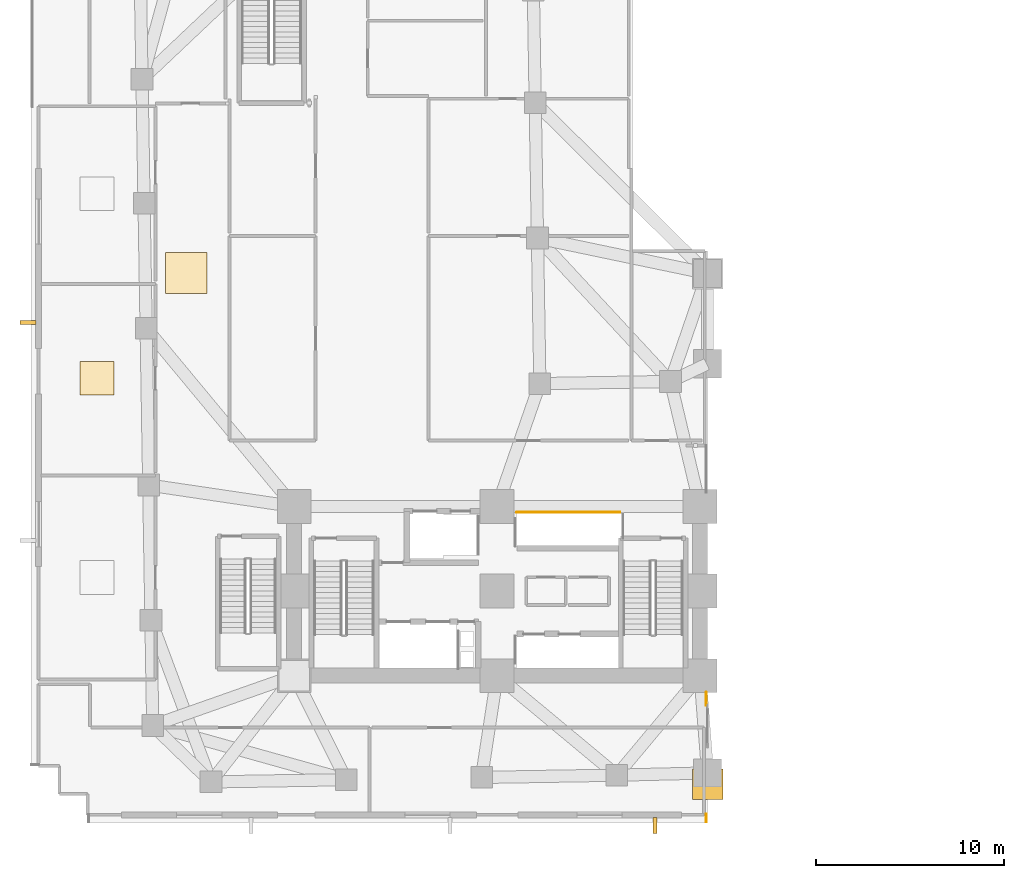
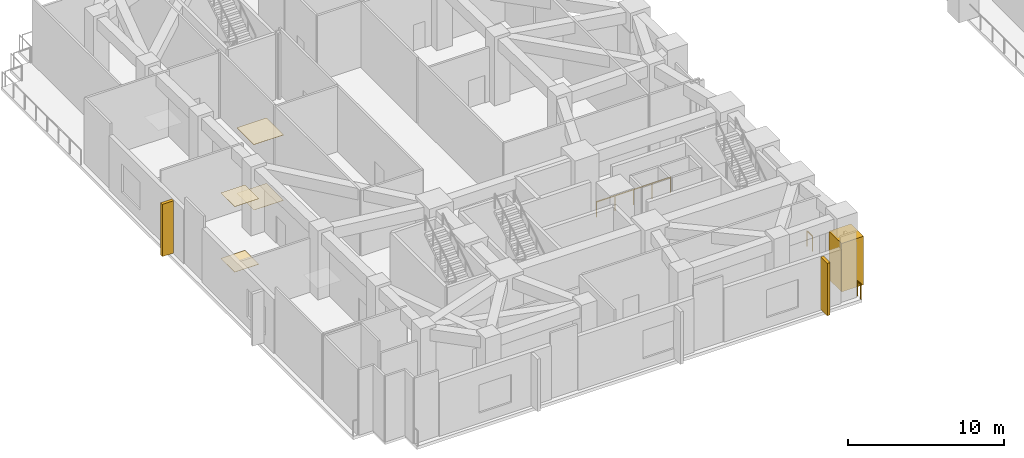
# One storey, part 14 of 18: 5 coverings, 3 railings, 2 shading devices.
"""IFC4 building model written with IfcOpenShell, lengths in metres."""

from ifc_helpers import new_model, si_unit, direction, frame, origin, origin_2d, place, context, subcontext, project, spatial, rectangle, circle, extrude, material, layer, layer_set, type_object, element, save


model = new_model("IFC4")

# Units and contexts
model_context = context("Model", 3, precision=1e-05, world=origin(), true_north=direction((0.0, 1.0)))
body_context = subcontext(model_context, "Body", "Model", "MODEL_VIEW")
ifc_project = project(units=[si_unit("LENGTHUNIT", "METRE"), si_unit("AREAUNIT", "SQUARE_METRE"), si_unit("VOLUMEUNIT", "CUBIC_METRE"), si_unit("PLANEANGLEUNIT", "RADIAN"), si_unit("MASSUNIT", "GRAM", prefix="KILO")], contexts=[model_context])

# Site, building, storey
site_placement = place(None, origin())
site = spatial("IfcSite", under=ifc_project, at=site_placement, CompositionType="ELEMENT")
building_placement = place(site_placement, origin())
building = spatial("IfcBuilding", under=site, at=building_placement, Name="Gaonmaruhae Medical Tower", CompositionType="ELEMENT")
storey_placement = place(building_placement, frame((0.0, 0.0, 10.800048828125)))
storey = spatial("IfcBuildingStorey", under=building, at=storey_placement, Name="L02", CompositionType="ELEMENT", Elevation=10.800048828125)

# Coverings
ifc_material_1 = material(Name="Architectural precast column cladding", Category="concrete")
ifc_layer_1 = layer(ifc_material_1, 0.06005859375)
ifc_layer_set_1 = layer_set([ifc_layer_1], Name="Architectural precast column cladding")
covering_type_1 = type_object("IfcCoveringType", Name="CLD-01 Architectural Precast Pier Cladding", PredefinedType="CLADDING", material=ifc_layer_set_1)
covering_1_placement = place(storey_placement, frame((36.0, 2.02001953125, 0.10009765625), z_axis=(0.0, 0.0, 1.0), x_axis=(1.0, 0.0, 0.0)))
element("IfcCovering", 1, at=covering_1_placement, inside=storey, type_object=covering_type_1, Name="L02 Architectural Precast Column Cladding 1", PredefinedType="CLADDING", context=body_context, shape_type="SweptSolid", body=[
    extrude(rectangle(XDim=1.6201171875, YDim=1.6201171875, at=origin_2d()), origin(), (0.0, 0.0, 1.0), 3.800048828125),
])
ifc_material_2 = material(Name="Acoustic mineral ceiling tile", Category="finish")
ifc_layer_2 = layer(ifc_material_2, 0.02490234375)
ifc_layer_set_2 = layer_set([ifc_layer_2], Name="Acoustic mineral ceiling tile")
covering_type_2 = type_object("IfcCoveringType", Name="CLG-01 Antimicrobial Acoustic Mineral Ceiling", PredefinedType="CEILING", material=ifc_layer_set_2)
covering_2_placement = place(storey_placement, frame((8.25, 29.22509765625, 5.125), z_axis=(0.0, 0.0, 1.0), x_axis=(1.0, 0.0, 0.0)))
element("IfcCovering", 2, at=covering_2_placement, inside=storey, type_object=covering_type_2, Name="L02 Clinical Corridor Acoustic Ceiling", PredefinedType="CEILING", context=body_context, shape_type="SweptSolid", body=[
    extrude(rectangle(XDim=2.199951171875, YDim=2.199951171875, at=origin_2d()), origin(), (0.0, 0.0, 1.0), 0.02490234375),
])
covering_3_placement = place(storey_placement, frame((3.510009765625, 23.625, 5.125), z_axis=(0.0, 0.0, 1.0), x_axis=(1.0, 0.0, 0.0)))
element("IfcCovering", 3, at=covering_3_placement, inside=storey, type_object=covering_type_2, Name="L02 Clinical Room Acoustic Ceiling 3", PredefinedType="CEILING", context=body_context, shape_type="SweptSolid", body=[
    extrude(rectangle(XDim=1.800048828125, YDim=1.800048828125, at=origin_2d()), origin(), (0.0, 0.0, 1.0), 0.02490234375),
])
ifc_material_3 = material(Name="Seamless clinical vinyl flooring", Category="finish")
ifc_layer_3 = layer(ifc_material_3, 0.014892578125)
ifc_layer_set_3 = layer_set([ifc_layer_3], Name="Seamless clinical vinyl flooring")
covering_type_3 = type_object("IfcCoveringType", Name="FLR-01 Seamless Clinical Antistatic Vinyl Flooring", PredefinedType="FLOORING", material=ifc_layer_set_3)
covering_4_placement = place(storey_placement, frame((8.25, 29.22509765625, 0.00048828125), z_axis=(0.0, 0.0, 1.0), x_axis=(1.0, 0.0, 0.0)))
element("IfcCovering", 4, at=covering_4_placement, inside=storey, type_object=covering_type_3, Name="L02 Clinical Corridor Vinyl Flooring", PredefinedType="FLOORING", context=body_context, shape_type="SweptSolid", body=[
    extrude(rectangle(XDim=2.199951171875, YDim=2.199951171875, at=origin_2d()), origin(), (0.0, 0.0, 1.0), 0.014892578125),
])
covering_5_placement = place(storey_placement, frame((3.510009765625, 23.625, 0.0), z_axis=(0.0, 0.0, 1.0), x_axis=(1.0, 0.0, 0.0)))
element("IfcCovering", 5, at=covering_5_placement, inside=storey, type_object=covering_type_3, Name="L02 Clinical Room Vinyl Flooring 3", PredefinedType="FLOORING", context=body_context, shape_type="SweptSolid", body=[
    extrude(rectangle(XDim=1.800048828125, YDim=1.800048828125, at=origin_2d()), origin(), (0.0, 0.0, 1.0), 0.014892578125),
])

# Railings
ifc_material_4 = material(Name="Stainless steel 316L and laminated safety glass", Category="steel")
ifc_layer_4 = layer(ifc_material_4, 0.080078125)
ifc_layer_set_4 = layer_set([ifc_layer_4], Name="Stainless steel 316L and laminated safety glass")
railing_type_1 = type_object("IfcRailingType", Name="GD-120 Outdoor Terrace Safety Glass & Steel Balustrade", PredefinedType="BALUSTRADE", material=ifc_layer_set_4)
railing_1_placement = place(storey_placement, frame((35.929931640625, 6.91552734375, 0.0)))
element("IfcRailing", 6, at=railing_1_placement, inside=storey, type_object=railing_type_1, Name="L02 Perimeter Slab Edge Safety Balustrade 14", PredefinedType="BALUSTRADE", context=body_context, shape_type="SweptSolid", body=[
    extrude(circle(Radius=0.02392578125, at=origin_2d()), frame((0.0, 0.0, 1.17578125), z_axis=(0.0, -1.0, 0.0), x_axis=(1.0, 0.0, 0.0)), (0.0, 0.0, 1.0), 0.69970703125),
    extrude(circle(Radius=0.02099609375, at=origin_2d()), origin(), (0.0, 0.0, 1.0), 1.15185546875),
    extrude(circle(Radius=0.02099609375, at=origin_2d()), frame((0.0, -0.69970703125, 0.0)), (0.0, 0.0, 1.0), 1.15185546875),
])
railing_2_placement = place(storey_placement, frame((35.929931640625, 0.439697265625, 0.0)))
element("IfcRailing", 7, at=railing_2_placement, inside=storey, type_object=railing_type_1, Name="L02 Perimeter Slab Edge Safety Balustrade 15", PredefinedType="BALUSTRADE", context=body_context, shape_type="SweptSolid", body=[
    extrude(circle(Radius=0.02392578125, at=origin_2d()), frame((0.0, 0.0, 1.17578125), z_axis=(0.0, -1.0, 0.0), x_axis=(1.0, 0.0, 0.0)), (0.0, 0.0, 1.0), 0.419677734375),
    extrude(circle(Radius=0.02099609375, at=origin_2d()), origin(), (0.0, 0.0, 1.0), 1.15185546875),
    extrude(circle(Radius=0.02099609375, at=origin_2d()), frame((0.0, -0.419677734375, 0.0)), (0.0, 0.0, 1.0), 1.15185546875),
])

# Shading devices
ifc_material_5 = material(Name="Pigmented coral precast concrete C45/55", Category="concrete")
shading_device_type = type_object("IfcShadingDeviceType", Name="SD-FIN2 Podium Vertical Coral Precast Shading Fin", PredefinedType="USERDEFINED", material=ifc_material_5)
for number, where, z_axis, x_axis, name in (
    (8, (33.199951171875, -0.1650390625, 0.06494140625), (0.0, 0.0, 1.0), (-1.0, 0.0, 0.0), "L02 Podium Coral Precast Shading Fin PB-S3"),
    (9, (-0.1650390625, 26.60009765625, 0.06494140625), (0.0, 0.0, 1.0), (0.0, 1.0, 0.0), "L02 Podium Coral Precast Shading Fin PB-W2"),
):
    element("IfcShadingDevice", number, at=place(storey_placement, frame(where, z_axis=z_axis, x_axis=x_axis)), inside=storey, type_object=shading_device_type, Name=name, ObjectType="FIN", PredefinedType="USERDEFINED", context=body_context, shape_type="SweptSolid", body=[
        extrude(rectangle(XDim=0.219970703125, YDim=0.85009765625, at=origin_2d()), origin(), (0.0, 0.0, 1.0), 4.10009765625),
    ])

# Railing
ifc_material_6 = material(Name="Stainless steel 304 balustrade", Category="steel")
railing_type_2 = type_object("IfcRailingType", Name="SG-112 Stair Well & Ramp Void Safety Balustrade", PredefinedType="BALUSTRADE", material=ifc_material_6)
railing_3_placement = place(storey_placement, frame((25.844970703125, 16.4951171875, 0.0)))
element("IfcRailing", 10, at=railing_3_placement, inside=storey, type_object=railing_type_2, Name="L02 Shaft Edge Safety Guard 21", PredefinedType="BALUSTRADE", context=body_context, shape_type="SweptSolid", body=[
    extrude(circle(Radius=0.02392578125, at=origin_2d()), frame((0.0, 0.0, 1.17578125), z_axis=(1.0, 0.0, 0.0), x_axis=(0.0, 1.0, 0.0)), (0.0, 0.0, 1.0), 5.485107421875),
    extrude(circle(Radius=0.02099609375, at=origin_2d()), origin(), (0.0, 0.0, 1.0), 1.15185546875),
    extrude(circle(Radius=0.02099609375, at=origin_2d()), frame((1.371337890625, 0.0, 0.0)), (0.0, 0.0, 1.0), 1.15185546875),
    extrude(circle(Radius=0.02099609375, at=origin_2d()), frame((2.74267578125, 0.0, 0.0)), (0.0, 0.0, 1.0), 1.15185546875),
    extrude(circle(Radius=0.02099609375, at=origin_2d()), frame((4.11376953125, 0.0, 0.0)), (0.0, 0.0, 1.0), 1.15185546875),
    extrude(circle(Radius=0.02099609375, at=origin_2d()), frame((5.485107421875, 0.0, 0.0)), (0.0, 0.0, 1.0), 1.15185546875),
])

save(model, "model.ifc")
